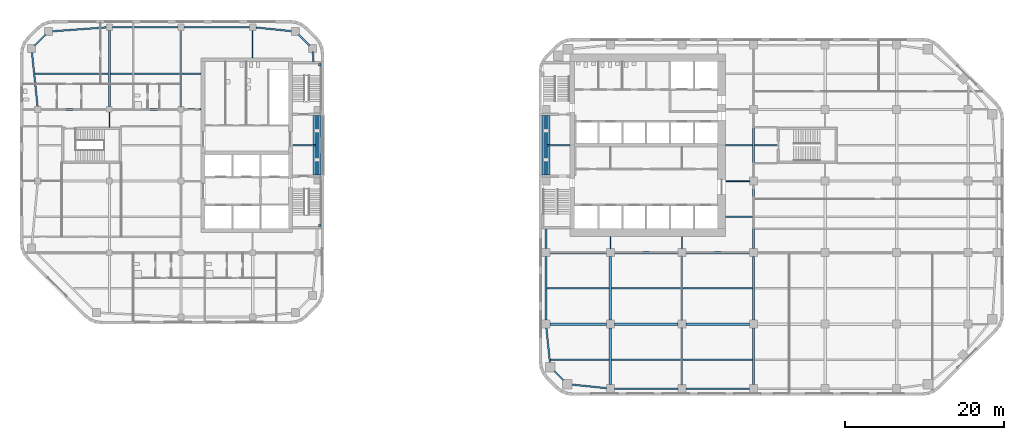
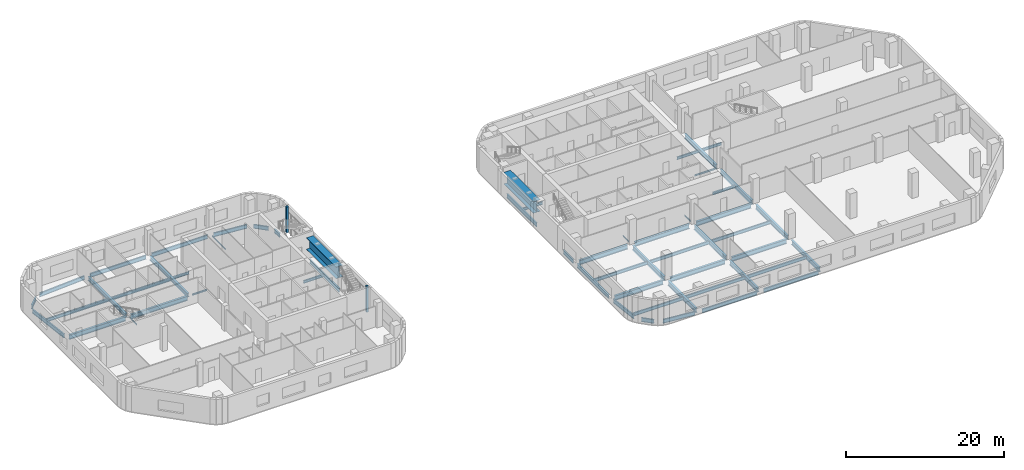
# One storey, part 2 of 15: 57 beams, 2 members.
"""IFC4 building model written with IfcOpenShell, lengths in metres."""

import ifcopenshell
import ifcopenshell.guid

model = None  # the IFC model being written
_history = None  # IfcOwnerHistory: only IFC2X3 demands one
_inside = {}  # id of a spatial element -> (the spatial element, [elements in it])
_under = {}  # id of a project, library or spatial element -> (it, [spatial elements below it])
_declared = {}  # id of a project -> (the project, [libraries it declares])
_typed = {}  # id of a type object -> (the type object, [elements of that type])
_made_of = {}  # id of a material, layer set ... -> (it, [elements and type objects made of it])


def new_model(schema):
    """Start an empty IFC model of exactly this schema.

    Asked for "IFC4X3", IfcOpenShell would pick the latest addendum, in which some entities
    have other attributes; the version numbers below select the first issue.
    IFC2X3 requires an IfcOwnerHistory on every rooted entity: one is made here for all.
    """
    global model, _history
    if schema == "IFC4X3":
        model = ifcopenshell.file(schema_version=(4, 3, 0, 0))
    else:
        model = ifcopenshell.file(schema=schema)
    _inside.clear()
    _under.clear()
    _declared.clear()
    _typed.clear()
    _made_of.clear()
    _history = None
    if model.schema == "IFC2X3":
        org = make("IfcOrganization", Name="unknown")
        user = make(
            "IfcPersonAndOrganization",
            ThePerson=make("IfcPerson", FamilyName="unknown"),
            TheOrganization=org,
        )
        app = make(
            "IfcApplication",
            ApplicationDeveloper=org,
            Version="unknown",
            ApplicationFullName="unknown",
            ApplicationIdentifier="unknown",
        )
        _history = make(
            "IfcOwnerHistory",
            OwningUser=user,
            OwningApplication=app,
            ChangeAction="ADDED",
            CreationDate=0,
        )
    return model


def make(cls, **values):
    """One entity of the class cls with the attributes given. An attribute that is None is left unset."""
    return model.create_entity(
        cls, **{name: value for name, value in values.items() if value is not None}
    )


def rooted(cls, **values):
    """An entity with a GlobalId (a new one), such as an element, a storey or a relation."""
    return make(cls, GlobalId=ifcopenshell.guid.new(), OwnerHistory=_history, **values)


def si_unit(unit_type, name, prefix=None):
    """IfcSIUnit, for example si_unit("LENGTHUNIT", "METRE", prefix="MILLI")."""
    return make("IfcSIUnit", UnitType=unit_type, Prefix=prefix, Name=name)


def assignment(units):
    """IfcUnitAssignment: the units of a project."""
    return None if units is None else make("IfcUnitAssignment", Units=units)


def point(xyz):
    """IfcCartesianPoint."""
    return None if xyz is None else make("IfcCartesianPoint", Coordinates=xyz)


def direction(xyz):
    """IfcDirection."""
    return None if xyz is None else make("IfcDirection", DirectionRatios=xyz)


def frame(location, z_axis=None, x_axis=None):
    """IfcAxis2Placement3D, a coordinate frame: its origin and axes. An axis left out is left unset."""
    return make(
        "IfcAxis2Placement3D",
        Location=point(location),
        Axis=direction(z_axis),
        RefDirection=direction(x_axis),
    )


def frame_2d(location, x_axis=None):
    """IfcAxis2Placement2D, a coordinate frame in the plane: its origin and x axis."""
    return make(
        "IfcAxis2Placement2D", Location=point(location), RefDirection=direction(x_axis)
    )


def origin():
    """The frame at (0, 0, 0) with its axes left unset."""
    return frame((0.0, 0.0, 0.0))


def origin_2d():
    """The frame at (0, 0) in the plane with its x axis left unset."""
    return frame_2d((0.0, 0.0))


def place(relative_to, where):
    """IfcLocalPlacement: puts the frame where relative to a parent placement (None: the world)."""
    return make(
        "IfcLocalPlacement", PlacementRelTo=relative_to, RelativePlacement=where
    )


def context(
    kind, dimensions, precision=None, world=None, true_north=None, identifier=None
):
    """IfcGeometricRepresentationContext, for example the 3D "Model" context."""
    return make(
        "IfcGeometricRepresentationContext",
        ContextIdentifier=identifier,
        ContextType=kind,
        CoordinateSpaceDimension=dimensions,
        Precision=precision,
        WorldCoordinateSystem=world,
        TrueNorth=true_north,
    )


def subcontext(parent, identifier, kind, view, scale=None):
    """IfcGeometricRepresentationSubContext, for example "Body" below "Model"."""
    return make(
        "IfcGeometricRepresentationSubContext",
        ContextIdentifier=identifier,
        ContextType=kind,
        ParentContext=parent,
        TargetScale=scale,
        TargetView=view,
    )


def project(units=None, contexts=None):
    """IfcProject with its units and contexts."""
    return rooted(
        "IfcProject",
        Name="project",
        RepresentationContexts=contexts,
        UnitsInContext=assignment(units),
    )


def spatial(cls, under=None, at=None, **own):
    """A site, building, storey or space (cls), placed at a placement, below another one or the project."""
    s = rooted(cls, ObjectPlacement=at, **own)
    if under is not None:
        _under.setdefault(under.id(), (under, []))[1].append(s)
    return s


def profile(cls, at=None, kind="AREA", **sizes):
    """A parametric profile (cls). Its sizes go by their IFC names, for example OverallWidth=200.0."""
    return make(cls, ProfileType=kind, Position=at, **sizes)


def rectangle(**sizes):
    """IfcRectangleProfileDef."""
    return profile("IfcRectangleProfileDef", **sizes)


def i_section(**sizes):
    """IfcIShapeProfileDef."""
    return profile("IfcIShapeProfileDef", **sizes)


def extrude(swept, where, along, depth):
    """IfcExtrudedAreaSolid: the profile swept, set in the frame where, extruded along a direction by depth."""
    return make(
        "IfcExtrudedAreaSolid",
        SweptArea=swept,
        Position=where,
        ExtrudedDirection=direction(along),
        Depth=depth,
    )


def shape(context_of_items, identifier, shape_type, items):
    """IfcShapeRepresentation: the items that make up one representation, for example the "Body"."""
    return make(
        "IfcShapeRepresentation",
        ContextOfItems=context_of_items,
        RepresentationIdentifier=identifier,
        RepresentationType=shape_type,
        Items=items,
    )


def material(Name=None, Category=None):
    """IfcMaterial."""
    return make("IfcMaterial", Name=Name, Category=Category)


def material_profile(
    of_material, cross_section, Name=None, Category=None, Priority=None
):
    """IfcMaterialProfile: a cross section and its material."""
    return make(
        "IfcMaterialProfile",
        Name=Name,
        Material=of_material,
        Profile=cross_section,
        Priority=Priority,
        Category=Category,
    )


def profile_set(profiles, Name=None, composite=None):
    """IfcMaterialProfileSet."""
    return make(
        "IfcMaterialProfileSet",
        Name=Name,
        MaterialProfiles=profiles,
        CompositeProfile=composite,
    )


def made_of(thing, what):
    """Note that an element or type object is made of a material, layer set ...; save() writes the relation."""
    if what is not None:
        _made_of.setdefault(what.id(), (what, []))[1].append(thing)
    return thing


def type_object(cls, material=None, **own):
    """A type object (cls), such as IfcWallType, which elements share."""
    return made_of(rooted(cls, **own), material)


def element(
    cls,
    number,
    at=None,
    inside=None,
    cuts=None,
    type_object=None,
    material=None,
    context=None,
    identifier="Body",
    shape_type=None,
    held_by="IfcProductDefinitionShape",
    body=None,
    shapes=None,
    **own,
):
    """One element of the class cls, such as IfcWall. Its Tag is "e" and its number.

    at: its placement. inside: the storey or other place that contains it. cuts: it is an
    opening in that element (IfcRelVoidsElement). A single representation is given by context,
    identifier, shape_type and body (its items); several are given by shapes. held_by: the class
    of the entity that holds the representations. save() writes the other relations.
    """
    e = rooted(cls, Tag="e%d" % number, ObjectPlacement=at, **own)
    if body is not None:
        shapes = [shape(context, identifier, shape_type, body)]
    if shapes is not None:
        e.Representation = make(held_by, Representations=shapes)
    if inside is not None:
        _inside.setdefault(inside.id(), (inside, []))[1].append(e)
    if cuts is not None:
        rooted(
            "IfcRelVoidsElement", RelatingBuildingElement=cuts, RelatedOpeningElement=e
        )
    if type_object is not None:
        _typed.setdefault(type_object.id(), (type_object, []))[1].append(e)
    return made_of(e, material)


def aggregate(whole, parts):
    """IfcRelAggregates: a whole, such as a stair, and the parts it consists of."""
    return rooted("IfcRelAggregates", RelatingObject=whole, RelatedObjects=parts)


def save(model, path):
    """Write the relations noted so far, then the file.

    IfcRelAggregates (storeys below a building ...), IfcRelContainedInSpatialStructure (elements
    in a storey), IfcRelDefinesByType, IfcRelAssociatesMaterial and IfcRelDeclares: one each for
    every whole, place, type object, material and project.
    """
    for whole, parts in _under.values():
        aggregate(whole, parts)
    for where, things in _inside.values():
        rooted(
            "IfcRelContainedInSpatialStructure",
            RelatedElements=things,
            RelatingStructure=where,
        )
    for kind, things in _typed.values():
        rooted("IfcRelDefinesByType", RelatedObjects=things, RelatingType=kind)
    for what, things in _made_of.values():
        rooted("IfcRelAssociatesMaterial", RelatedObjects=things, RelatingMaterial=what)
    for by, libraries in _declared.values():
        rooted("IfcRelDeclares", RelatingContext=by, RelatedDefinitions=libraries)
    model.write(path)


model = new_model("IFC4")

# Units and contexts
model_context = context("Model", 3, precision=1e-05, world=origin(), true_north=direction((0.0, 1.0)))
body_context = subcontext(model_context, "Body", "Model", "MODEL_VIEW")
ifc_project = project(units=[si_unit("LENGTHUNIT", "METRE"), si_unit("AREAUNIT", "SQUARE_METRE"), si_unit("VOLUMEUNIT", "CUBIC_METRE"), si_unit("PLANEANGLEUNIT", "RADIAN"), si_unit("MASSUNIT", "GRAM", prefix="KILO")], contexts=[model_context])

# Site, building, storey
site_placement = place(None, origin())
site = spatial("IfcSite", under=ifc_project, at=site_placement, CompositionType="ELEMENT")
building_placement = place(site_placement, origin())
building = spatial("IfcBuilding", under=site, at=building_placement, Name="Cinnabar Reach Civic Tower", CompositionType="ELEMENT")
storey_placement = place(building_placement, frame((0.0, 0.0, 67.0)))
storey = spatial("IfcBuildingStorey", under=building, at=storey_placement, Name="L15", CompositionType="ELEMENT", Elevation=67.0)

# Beams
ifc_material_1 = material(Name="Steel Q355B", Category="steel")
ifc_material_profile_1 = material_profile(ifc_material_1, i_section(OverallWidth=0.302, OverallDepth=0.594, WebThickness=0.014, FlangeThickness=0.023, FilletRadius=0.016, at=origin_2d()), Name="HM594x302x14x23")
ifc_profile_set_1 = profile_set([ifc_material_profile_1], Name="Steel Q355B")
beam_type_1 = type_object("IfcBeamType", Name="HM594x302x14x23 beam R 120", PredefinedType="BEAM", material=ifc_profile_set_1)
for number, where, z_axis, x_axis, name in (
    (1, (-54.0, 36.352, -0.447), (0.0, 1.0, 0.0), (-1.0, 0.0, 0.0), "Girder T2 L15 5"),
    (2, (-45.0, 36.352, -0.447), (0.0, 1.0, 0.0), (-1.0, 0.0, 0.0), "Girder T2 L15 9"),
):
    element("IfcBeam", number, at=place(storey_placement, frame(where, z_axis=z_axis, x_axis=x_axis)), inside=storey, type_object=beam_type_1, Name=name, PredefinedType="BEAM", context=body_context, shape_type="SweptSolid", body=[
        extrude(i_section(OverallWidth=0.302, OverallDepth=0.594, WebThickness=0.014, FlangeThickness=0.023, FilletRadius=0.016, at=origin_2d()), origin(), (0.0, 0.0, 1.0), 9.596),
    ])
ifc_material_profile_2 = material_profile(ifc_material_1, i_section(OverallWidth=0.099, OverallDepth=0.198, WebThickness=0.0045, FlangeThickness=0.007, FilletRadius=0.013, at=origin_2d()), Name="HN200x100x5.5x8")
ifc_profile_set_2 = profile_set([ifc_material_profile_2], Name="Steel Q355B")
beam_type_2 = type_object("IfcBeamType", Name="HN200x100x5.5x8 beam R 120", PredefinedType="BEAM", material=ifc_profile_set_2)
beam_1_placement = place(storey_placement, frame((-54.0, 33.752, -0.249), z_axis=(0.0, 1.0, 0.0), x_axis=(-1.0, 0.0, 0.0)))
element("IfcBeam", 3, at=beam_1_placement, inside=storey, type_object=beam_type_2, Name="Girder T2 L15 4", PredefinedType="BEAM", context=body_context, shape_type="SweptSolid", body=[
    extrude(i_section(OverallWidth=0.099, OverallDepth=0.198, WebThickness=0.0045, FlangeThickness=0.007, FilletRadius=0.013, at=origin_2d()), origin(), (0.0, 0.0, 1.0), 1.896),
])
beam_2_placement = place(storey_placement, frame((-36.0, 42.502, -0.249), z_axis=(0.0, 1.0, 0.0), x_axis=(-1.0, 0.0, 0.0)))
element("IfcBeam", 4, at=beam_2_placement, inside=storey, type_object=beam_type_2, Name="Girder T2 L15 12", PredefinedType="BEAM", context=body_context, shape_type="SweptSolid", body=[
    extrude(i_section(OverallWidth=0.099, OverallDepth=0.198, WebThickness=0.0045, FlangeThickness=0.007, FilletRadius=0.013, at=origin_2d()), origin(), (0.0, 0.0, 1.0), 3.446),
])
ifc_material_profile_3 = material_profile(ifc_material_1, i_section(OverallWidth=0.099, OverallDepth=0.198, WebThickness=0.0045, FlangeThickness=0.007, FilletRadius=0.013, at=origin_2d()), Name="HN200x100x5.5x8")
ifc_profile_set_3 = profile_set([ifc_material_profile_3], Name="Steel Q355B")
beam_type_3 = type_object("IfcBeamType", Name="HN200x100x5.5x8 beam R 180", PredefinedType="BEAM", material=ifc_profile_set_3)
for number, where, z_axis, x_axis, name in (
    (5, (9.0, 18.502, -0.249), (0.0, 1.0, 0.0), (-1.0, 0.0, 0.0), "Girder T1 L15 3"),
    (6, (18.0, 18.502, -0.249), (0.0, 1.0, 0.0), (-1.0, 0.0, 0.0), "Girder T1 L15 6"),
):
    element("IfcBeam", number, at=place(storey_placement, frame(where, z_axis=z_axis, x_axis=x_axis)), inside=storey, type_object=beam_type_3, Name=name, PredefinedType="BEAM", context=body_context, shape_type="SweptSolid", body=[
        extrude(i_section(OverallWidth=0.099, OverallDepth=0.198, WebThickness=0.0045, FlangeThickness=0.007, FilletRadius=0.013, at=origin_2d()), origin(), (0.0, 0.0, 1.0), 1.496),
    ])
ifc_material_profile_4 = material_profile(ifc_material_1, i_section(OverallWidth=0.124, OverallDepth=0.248, WebThickness=0.005, FlangeThickness=0.008, FilletRadius=0.013, at=origin_2d()), Name="HN250x125x6x9")
ifc_profile_set_4 = profile_set([ifc_material_profile_4], Name="Steel Q355B")
beam_type_4 = type_object("IfcBeamType", Name="HN250x125x6x9 beam R 120", PredefinedType="BEAM", material=ifc_profile_set_4)
beam_3_placement = place(storey_placement, frame((-44.648, 36.0, -0.274), z_axis=(1.0, 0.0, 0.0), x_axis=(0.0, 1.0, 0.0)))
element("IfcBeam", 7, at=beam_3_placement, inside=storey, type_object=beam_type_4, Name="Girder T2 L15 10", PredefinedType="BEAM", context=body_context, shape_type="SweptSolid", body=[
    extrude(i_section(OverallWidth=0.124, OverallDepth=0.248, WebThickness=0.005, FlangeThickness=0.008, FilletRadius=0.013, at=origin_2d()), origin(), (0.0, 0.0, 1.0), 2.146),
])
ifc_material_profile_5 = material_profile(ifc_material_1, i_section(OverallWidth=0.124, OverallDepth=0.248, WebThickness=0.005, FlangeThickness=0.008, FilletRadius=0.013, at=origin_2d()), Name="HN250x125x6x9")
ifc_profile_set_5 = profile_set([ifc_material_profile_5], Name="Steel Q355B")
beam_type_5 = type_object("IfcBeamType", Name="HN250x125x6x9 beam R 180", PredefinedType="BEAM", material=ifc_profile_set_5)
beam_4_placement = place(storey_placement, frame((23.502, 27.0, -0.274), z_axis=(1.0, 0.0, 0.0), x_axis=(0.0, 1.0, 0.0)))
element("IfcBeam", 8, at=beam_4_placement, inside=storey, type_object=beam_type_5, Name="Girder T1 L15 15", PredefinedType="BEAM", context=body_context, shape_type="SweptSolid", body=[
    extrude(i_section(OverallWidth=0.124, OverallDepth=0.248, WebThickness=0.005, FlangeThickness=0.008, FilletRadius=0.013, at=origin_2d()), origin(), (0.0, 0.0, 1.0), 2.996),
])
ifc_material_profile_6 = material_profile(ifc_material_1, i_section(OverallWidth=0.199, OverallDepth=0.396, WebThickness=0.007, FlangeThickness=0.011, FilletRadius=0.013, at=origin_2d()), Name="HN396x199x7x11")
ifc_profile_set_6 = profile_set([ifc_material_profile_6], Name="Steel Q355B")
beam_type_6 = type_object("IfcBeamType", Name="HN396x199x7x11 beam R 120", PredefinedType="BEAM", material=ifc_profile_set_6)
beam_5_placement = place(storey_placement, frame((-30.998, 31.5, -0.348), z_axis=(1.0, 0.0, 0.0), x_axis=(0.0, 1.0, 0.0)))
element("IfcBeam", 9, at=beam_5_placement, inside=storey, type_object=beam_type_6, Name="Secondary beam T2 L15 11", PredefinedType="BEAM", context=body_context, shape_type="SweptSolid", body=[
    extrude(i_section(OverallWidth=0.199, OverallDepth=0.396, WebThickness=0.007, FlangeThickness=0.011, FilletRadius=0.013, at=origin_2d()), origin(), (0.0, 0.0, 1.0), 2.996),
])
beam_6_placement = place(storey_placement, frame((-44.847, 40.5, -0.348), z_axis=(1.0, 0.0, 0.0), x_axis=(0.0, 1.0, 0.0)))
element("IfcBeam", 10, at=beam_6_placement, inside=storey, type_object=beam_type_6, Name="Secondary beam T2 L15 14", PredefinedType="BEAM", context=body_context, shape_type="SweptSolid", body=[
    extrude(i_section(OverallWidth=0.199, OverallDepth=0.396, WebThickness=0.007, FlangeThickness=0.011, FilletRadius=0.013, at=origin_2d()), origin(), (0.0, 0.0, 1.0), 2.345),
])
ifc_material_profile_7 = material_profile(ifc_material_1, i_section(OverallWidth=0.2, OverallDepth=0.4, WebThickness=0.008, FlangeThickness=0.013, FilletRadius=0.016, at=origin_2d()), Name="HN400x200x8x13")
ifc_profile_set_7 = profile_set([ifc_material_profile_7], Name="Steel Q355B")
beam_type_7 = type_object("IfcBeamType", Name="HN400x200x8x13 beam R 180", PredefinedType="BEAM", material=ifc_profile_set_7)
beam_7_placement = place(storey_placement, frame((23.502, 22.5, -0.35), z_axis=(1.0, 0.0, 0.0), x_axis=(0.0, 1.0, 0.0)))
element("IfcBeam", 11, at=beam_7_placement, inside=storey, type_object=beam_type_7, Name="Secondary beam T1 L15 14", PredefinedType="BEAM", context=body_context, shape_type="SweptSolid", body=[
    extrude(i_section(OverallWidth=0.2, OverallDepth=0.4, WebThickness=0.008, FlangeThickness=0.013, FilletRadius=0.016, at=origin_2d()), origin(), (0.0, 0.0, 1.0), 3.346),
])
beam_8_placement = place(storey_placement, frame((1.002, 31.5, -0.35), z_axis=(1.0, 0.0, 0.0), x_axis=(0.0, 1.0, 0.0)))
element("IfcBeam", 12, at=beam_8_placement, inside=storey, type_object=beam_type_7, Name="Secondary beam T1 L15 19", PredefinedType="BEAM", context=body_context, shape_type="SweptSolid", body=[
    extrude(i_section(OverallWidth=0.2, OverallDepth=0.4, WebThickness=0.008, FlangeThickness=0.013, FilletRadius=0.016, at=origin_2d()), origin(), (0.0, 0.0, 1.0), 2.896),
])
beam_9_placement = place(storey_placement, frame((23.502, 31.5, -0.35), z_axis=(1.0, 0.0, 0.0), x_axis=(0.0, 1.0, 0.0)))
element("IfcBeam", 13, at=beam_9_placement, inside=storey, type_object=beam_type_7, Name="Secondary beam T1 L15 20", PredefinedType="BEAM", context=body_context, shape_type="SweptSolid", body=[
    extrude(i_section(OverallWidth=0.2, OverallDepth=0.4, WebThickness=0.008, FlangeThickness=0.013, FilletRadius=0.016, at=origin_2d()), origin(), (0.0, 0.0, 1.0), 3.346),
])
beam_10_placement = place(storey_placement, frame((27.152, 31.5, -0.35), z_axis=(1.0, 0.0, 0.0), x_axis=(0.0, 1.0, 0.0)))
element("IfcBeam", 14, at=beam_10_placement, inside=storey, type_object=beam_type_7, Name="Secondary beam T1 L15 21", PredefinedType="BEAM", context=body_context, shape_type="SweptSolid", body=[
    extrude(i_section(OverallWidth=0.2, OverallDepth=0.4, WebThickness=0.008, FlangeThickness=0.013, FilletRadius=0.016, at=origin_2d()), origin(), (0.0, 0.0, 1.0), 2.846),
])
ifc_material_profile_8 = material_profile(ifc_material_1, i_section(OverallWidth=0.199, OverallDepth=0.496, WebThickness=0.009, FlangeThickness=0.014, FilletRadius=0.016, at=origin_2d()), Name="HN496x199x9x14")
ifc_profile_set_8 = profile_set([ifc_material_profile_8], Name="Steel Q355B")
beam_type_8 = type_object("IfcBeamType", Name="HN496x199x9x14 beam R 120", PredefinedType="BEAM", material=ifc_profile_set_8)
beam_11_placement = place(storey_placement, frame((-63.3663, 40.5, -0.398), z_axis=(1.0, 0.0, 0.0), x_axis=(0.0, 1.0, 0.0)))
element("IfcBeam", 15, at=beam_11_placement, inside=storey, type_object=beam_type_8, Name="Secondary beam T2 L15 12", PredefinedType="BEAM", context=body_context, shape_type="SweptSolid", body=[
    extrude(i_section(OverallWidth=0.199, OverallDepth=0.496, WebThickness=0.009, FlangeThickness=0.014, FilletRadius=0.016, at=origin_2d()), origin(), (0.0, 0.0, 1.0), 9.2133),
])
beam_12_placement = place(storey_placement, frame((-53.847, 40.5, -0.398), z_axis=(1.0, 0.0, 0.0), x_axis=(0.0, 1.0, 0.0)))
element("IfcBeam", 16, at=beam_12_placement, inside=storey, type_object=beam_type_8, Name="Secondary beam T2 L15 13", PredefinedType="BEAM", context=body_context, shape_type="SweptSolid", body=[
    extrude(i_section(OverallWidth=0.199, OverallDepth=0.496, WebThickness=0.009, FlangeThickness=0.014, FilletRadius=0.016, at=origin_2d()), origin(), (0.0, 0.0, 1.0), 8.694),
])
ifc_material_profile_9 = material_profile(ifc_material_1, i_section(OverallWidth=0.2, OverallDepth=0.5, WebThickness=0.01, FlangeThickness=0.016, FilletRadius=0.016, at=origin_2d()), Name="HN500x200x10x16")
ifc_profile_set_9 = profile_set([ifc_material_profile_9], Name="Steel Q355B")
beam_type_9 = type_object("IfcBeamType", Name="HN500x200x10x16 beam R 180", PredefinedType="BEAM", material=ifc_profile_set_9)
beam_13_placement = place(storey_placement, frame((1.4636, 4.5, -0.4), z_axis=(1.0, 0.0, 0.0), x_axis=(0.0, 1.0, 0.0)))
element("IfcBeam", 17, at=beam_13_placement, inside=storey, type_object=beam_type_9, Name="Secondary beam T1 L15 1", PredefinedType="BEAM", context=body_context, shape_type="SweptSolid", body=[
    extrude(i_section(OverallWidth=0.2, OverallDepth=0.5, WebThickness=0.01, FlangeThickness=0.016, FilletRadius=0.016, at=origin_2d()), origin(), (0.0, 0.0, 1.0), 7.3844),
])
for number, where, z_axis, x_axis, name in (
    (18, (9.152, 4.5, -0.4), (1.0, 0.0, 0.0), (0.0, 1.0, 0.0), "Secondary beam T1 L15 2"),
    (19, (18.152, 4.5, -0.4), (1.0, 0.0, 0.0), (0.0, 1.0, 0.0), "Secondary beam T1 L15 3"),
):
    element("IfcBeam", number, at=place(storey_placement, frame(where, z_axis=z_axis, x_axis=x_axis)), inside=storey, type_object=beam_type_9, Name=name, PredefinedType="BEAM", context=body_context, shape_type="SweptSolid", body=[
        extrude(i_section(OverallWidth=0.2, OverallDepth=0.5, WebThickness=0.01, FlangeThickness=0.016, FilletRadius=0.016, at=origin_2d()), origin(), (0.0, 0.0, 1.0), 8.696),
    ])
beam_14_placement = place(storey_placement, frame((1.002, 13.5, -0.4), z_axis=(1.0, 0.0, 0.0), x_axis=(0.0, 1.0, 0.0)))
element("IfcBeam", 20, at=beam_14_placement, inside=storey, type_object=beam_type_9, Name="Secondary beam T1 L15 7", PredefinedType="BEAM", context=body_context, shape_type="SweptSolid", body=[
    extrude(i_section(OverallWidth=0.2, OverallDepth=0.5, WebThickness=0.01, FlangeThickness=0.016, FilletRadius=0.016, at=origin_2d()), origin(), (0.0, 0.0, 1.0), 7.846),
])
for number, where, z_axis, x_axis, name in (
    (21, (9.152, 13.5, -0.4), (1.0, 0.0, 0.0), (0.0, 1.0, 0.0), "Secondary beam T1 L15 8"),
    (22, (18.152, 13.5, -0.4), (1.0, 0.0, 0.0), (0.0, 1.0, 0.0), "Secondary beam T1 L15 9"),
):
    element("IfcBeam", number, at=place(storey_placement, frame(where, z_axis=z_axis, x_axis=x_axis)), inside=storey, type_object=beam_type_9, Name=name, PredefinedType="BEAM", context=body_context, shape_type="SweptSolid", body=[
        extrude(i_section(OverallWidth=0.2, OverallDepth=0.5, WebThickness=0.01, FlangeThickness=0.016, FilletRadius=0.016, at=origin_2d()), origin(), (0.0, 0.0, 1.0), 8.696),
    ])
ifc_material_profile_10 = material_profile(ifc_material_1, i_section(OverallWidth=0.2, OverallDepth=0.6, WebThickness=0.011, FlangeThickness=0.017, FilletRadius=0.016, at=origin_2d()), Name="HN600x200x11x17")
ifc_profile_set_10 = profile_set([ifc_material_profile_10], Name="Steel Q355B")
beam_type_10 = type_object("IfcBeamType", Name="HN600x200x11x17 beam R 120", PredefinedType="BEAM", material=ifc_profile_set_10)
beam_15_placement = place(storey_placement, frame((-27.9, 27.752, -0.45), z_axis=(0.0, 1.0, 0.0), x_axis=(-1.0, 0.0, 0.0)))
element("IfcBeam", 23, at=beam_15_placement, inside=storey, type_object=beam_type_10, Name="Edge beam T2 L15 7", PredefinedType="BEAM", context=body_context, shape_type="SweptSolid", body=[
    extrude(i_section(OverallWidth=0.2, OverallDepth=0.6, WebThickness=0.011, FlangeThickness=0.017, FilletRadius=0.016, at=origin_2d()), origin(), (0.0, 0.0, 1.0), 7.496),
])
beam_16_placement = place(storey_placement, frame((-28.3341, 42.002, -0.45), z_axis=(-0.072116143061, 0.997396241175, 0.0), x_axis=(-0.997396241175, -0.072116143061, 0.0)))
element("IfcBeam", 24, at=beam_16_placement, inside=storey, type_object=beam_type_10, Name="Edge beam T2 L15 8", PredefinedType="BEAM", context=body_context, shape_type="SweptSolid", body=[
    extrude(i_section(OverallWidth=0.2, OverallDepth=0.6, WebThickness=0.011, FlangeThickness=0.017, FilletRadius=0.016, at=origin_2d()), origin(), (0.0, 0.0, 1.0), 1.2674),
])
beam_17_placement = place(storey_placement, frame((-28.8351, 44.0301, -0.45), z_axis=(-0.707106781187, 0.707106781187, 0.0), x_axis=(-0.707106781187, -0.707106781187, 0.0)))
element("IfcBeam", 25, at=beam_17_placement, inside=storey, type_object=beam_type_10, Name="Edge beam T2 L15 9", PredefinedType="BEAM", context=body_context, shape_type="SweptSolid", body=[
    extrude(i_section(OverallWidth=0.2, OverallDepth=0.6, WebThickness=0.011, FlangeThickness=0.017, FilletRadius=0.016, at=origin_2d()), origin(), (0.0, 0.0, 1.0), 1.9584),
])
beam_18_placement = place(storey_placement, frame((-30.9839, 45.836, -0.45), z_axis=(-0.994791084875, 0.101934770579, 0.0), x_axis=(-0.101934770579, -0.994791084875, 0.0)))
element("IfcBeam", 26, at=beam_18_placement, inside=storey, type_object=beam_type_10, Name="Edge beam T2 L15 10", PredefinedType="BEAM", context=body_context, shape_type="SweptSolid", body=[
    extrude(i_section(OverallWidth=0.2, OverallDepth=0.6, WebThickness=0.011, FlangeThickness=0.017, FilletRadius=0.016, at=origin_2d()), origin(), (0.0, 0.0, 1.0), 4.6383),
])
for number, where, z_axis, x_axis, name in (
    (27, (-36.402, 46.35, -0.45), (-1.0, 0.0, 0.0), (0.0, -1.0, 0.0), "Edge beam T2 L15 11"),
    (28, (-45.402, 46.35, -0.45), (-1.0, 0.0, 0.0), (0.0, -1.0, 0.0), "Edge beam T2 L15 12"),
):
    element("IfcBeam", number, at=place(storey_placement, frame(where, z_axis=z_axis, x_axis=x_axis)), inside=storey, type_object=beam_type_10, Name=name, PredefinedType="BEAM", context=body_context, shape_type="SweptSolid", body=[
        extrude(i_section(OverallWidth=0.2, OverallDepth=0.6, WebThickness=0.011, FlangeThickness=0.017, FilletRadius=0.016, at=origin_2d()), origin(), (0.0, 0.0, 1.0), 8.196),
    ])
beam_19_placement = place(storey_placement, frame((-54.402, 46.3209, -0.45), z_axis=(-0.997395244781, -0.072129922278, 0.0), x_axis=(0.072129922278, -0.997395244781, 0.0)))
element("IfcBeam", 29, at=beam_19_placement, inside=storey, type_object=beam_type_10, Name="Edge beam T2 L15 13", PredefinedType="BEAM", context=body_context, shape_type="SweptSolid", body=[
    extrude(i_section(OverallWidth=0.2, OverallDepth=0.6, WebThickness=0.011, FlangeThickness=0.017, FilletRadius=0.016, at=origin_2d()), origin(), (0.0, 0.0, 1.0), 6.882),
])
beam_20_placement = place(storey_placement, frame((-62.0301, 45.4149, -0.45), z_axis=(-0.707106781187, -0.707106781187, 0.0), x_axis=(0.707106781187, -0.707106781187, 0.0)))
element("IfcBeam", 30, at=beam_20_placement, inside=storey, type_object=beam_type_10, Name="Edge beam T2 L15 14", PredefinedType="BEAM", context=body_context, shape_type="SweptSolid", body=[
    extrude(i_section(OverallWidth=0.2, OverallDepth=0.6, WebThickness=0.011, FlangeThickness=0.017, FilletRadius=0.016, at=origin_2d()), origin(), (0.0, 0.0, 1.0), 1.9584),
])
beam_21_placement = place(storey_placement, frame((-63.7571, 43.2661, -0.45), z_axis=(0.103633260175, -0.994615577691, 0.0), x_axis=(0.994615577691, 0.103633260175, 0.0)))
element("IfcBeam", 31, at=beam_21_placement, inside=storey, type_object=beam_type_10, Name="Edge beam T2 L15 15", PredefinedType="BEAM", context=body_context, shape_type="SweptSolid", body=[
    extrude(i_section(OverallWidth=0.2, OverallDepth=0.6, WebThickness=0.011, FlangeThickness=0.017, FilletRadius=0.016, at=origin_2d()), origin(), (0.0, 0.0, 1.0), 6.9013),
])
ifc_material_profile_11 = material_profile(ifc_material_1, i_section(OverallWidth=0.2, OverallDepth=0.6, WebThickness=0.011, FlangeThickness=0.017, FilletRadius=0.016, at=origin_2d()), Name="HN600x200x11x17")
ifc_profile_set_11 = profile_set([ifc_material_profile_11], Name="Steel Q355B")
beam_type_11 = type_object("IfcBeamType", Name="HN600x200x11x17 beam R 180", PredefinedType="BEAM", material=ifc_profile_set_11)
beam_22_placement = place(storey_placement, frame((4.0839, 1.4037, -0.45), z_axis=(0.994791228755, -0.101933366432, 0.0), x_axis=(0.101933366432, 0.994791228755, 0.0)))
element("IfcBeam", 32, at=beam_22_placement, inside=storey, type_object=beam_type_11, Name="Edge beam T1 L15 1", PredefinedType="BEAM", context=body_context, shape_type="SweptSolid", body=[
    extrude(i_section(OverallWidth=0.2, OverallDepth=0.6, WebThickness=0.011, FlangeThickness=0.017, FilletRadius=0.016, at=origin_2d()), origin(), (0.0, 0.0, 1.0), 4.4372),
])
for number, where, z_axis, x_axis, name in (
    (33, (9.502, 0.9, -0.45), (1.0, 0.0, 0.0), (0.0, 1.0, 0.0), "Edge beam T1 L15 2"),
    (34, (18.502, 0.9, -0.45), (1.0, 0.0, 0.0), (0.0, 1.0, 0.0), "Edge beam T1 L15 3"),
):
    element("IfcBeam", number, at=place(storey_placement, frame(where, z_axis=z_axis, x_axis=x_axis)), inside=storey, type_object=beam_type_11, Name=name, PredefinedType="BEAM", context=body_context, shape_type="SweptSolid", body=[
        extrude(i_section(OverallWidth=0.2, OverallDepth=0.6, WebThickness=0.011, FlangeThickness=0.017, FilletRadius=0.016, at=origin_2d()), origin(), (0.0, 0.0, 1.0), 7.996),
    ])
beam_23_placement = place(storey_placement, frame((0.9, 35.248, -0.45), z_axis=(0.0, -1.0, 0.0), x_axis=(1.0, 0.0, 0.0)))
element("IfcBeam", 35, at=beam_23_placement, inside=storey, type_object=beam_type_11, Name="Edge beam T1 L15 20", PredefinedType="BEAM", context=body_context, shape_type="SweptSolid", body=[
    extrude(i_section(OverallWidth=0.2, OverallDepth=0.6, WebThickness=0.011, FlangeThickness=0.017, FilletRadius=0.016, at=origin_2d()), origin(), (0.0, 0.0, 1.0), 7.496),
])
beam_24_placement = place(storey_placement, frame((0.9, 20.998, -0.45), z_axis=(0.0, -1.0, 0.0), x_axis=(1.0, 0.0, 0.0)))
element("IfcBeam", 36, at=beam_24_placement, inside=storey, type_object=beam_type_11, Name="Edge beam T1 L15 21", PredefinedType="BEAM", context=body_context, shape_type="SweptSolid", body=[
    extrude(i_section(OverallWidth=0.2, OverallDepth=0.6, WebThickness=0.011, FlangeThickness=0.017, FilletRadius=0.016, at=origin_2d()), origin(), (0.0, 0.0, 1.0), 2.496),
])
beam_25_placement = place(storey_placement, frame((0.9, 17.498, -0.45), z_axis=(0.0, -1.0, 0.0), x_axis=(1.0, 0.0, 0.0)))
element("IfcBeam", 37, at=beam_25_placement, inside=storey, type_object=beam_type_11, Name="Edge beam T1 L15 22", PredefinedType="BEAM", context=body_context, shape_type="SweptSolid", body=[
    extrude(i_section(OverallWidth=0.2, OverallDepth=0.6, WebThickness=0.011, FlangeThickness=0.017, FilletRadius=0.016, at=origin_2d()), origin(), (0.0, 0.0, 1.0), 7.996),
])
beam_26_placement = place(storey_placement, frame((0.9514, 8.498, -0.45), z_axis=(0.101933366432, -0.994791228755, 0.0), x_axis=(0.994791228755, 0.101933366432, 0.0)))
element("IfcBeam", 38, at=beam_26_placement, inside=storey, type_object=beam_type_11, Name="Edge beam T1 L15 23", PredefinedType="BEAM", context=body_context, shape_type="SweptSolid", body=[
    extrude(i_section(OverallWidth=0.2, OverallDepth=0.6, WebThickness=0.011, FlangeThickness=0.017, FilletRadius=0.016, at=origin_2d()), origin(), (0.0, 0.0, 1.0), 4.4372),
])
beam_27_placement = place(storey_placement, frame((1.9351, 3.1199, -0.45), z_axis=(0.707106781187, -0.707106781187, 0.0), x_axis=(0.707106781187, 0.707106781187, 0.0)))
element("IfcBeam", 39, at=beam_27_placement, inside=storey, type_object=beam_type_11, Name="Edge beam T1 L15 24", PredefinedType="BEAM", context=body_context, shape_type="SweptSolid", body=[
    extrude(i_section(OverallWidth=0.2, OverallDepth=0.6, WebThickness=0.011, FlangeThickness=0.017, FilletRadius=0.016, at=origin_2d()), origin(), (0.0, 0.0, 1.0), 1.6756),
])
ifc_material_profile_12 = material_profile(ifc_material_1, i_section(OverallWidth=0.3, OverallDepth=0.692, WebThickness=0.013, FlangeThickness=0.02, FilletRadius=0.016, at=origin_2d()), Name="HN692x300x13x20")
ifc_profile_set_12 = profile_set([ifc_material_profile_12], Name="Steel Q355B")
beam_type_12 = type_object("IfcBeamType", Name="HN692x300x13x20 beam R 120", PredefinedType="BEAM", material=ifc_profile_set_12)
beam_28_placement = place(storey_placement, frame((-62.598, 36.0, -0.496), z_axis=(1.0, 0.0, 0.0), x_axis=(0.0, 1.0, 0.0)))
element("IfcBeam", 40, at=beam_28_placement, inside=storey, type_object=beam_type_12, Name="Girder T2 L15 8", PredefinedType="BEAM", context=body_context, shape_type="SweptSolid", body=[
    extrude(i_section(OverallWidth=0.3, OverallDepth=0.692, WebThickness=0.013, FlangeThickness=0.02, FilletRadius=0.016, at=origin_2d()), origin(), (0.0, 0.0, 1.0), 8.246),
])
beam_29_placement = place(storey_placement, frame((-53.648, 36.0, -0.496), z_axis=(1.0, 0.0, 0.0), x_axis=(0.0, 1.0, 0.0)))
element("IfcBeam", 41, at=beam_29_placement, inside=storey, type_object=beam_type_12, Name="Girder T2 L15 9", PredefinedType="BEAM", context=body_context, shape_type="SweptSolid", body=[
    extrude(i_section(OverallWidth=0.3, OverallDepth=0.692, WebThickness=0.013, FlangeThickness=0.02, FilletRadius=0.016, at=origin_2d()), origin(), (0.0, 0.0, 1.0), 8.296),
])
ifc_material_profile_13 = material_profile(ifc_material_1, i_section(OverallWidth=0.3, OverallDepth=0.692, WebThickness=0.013, FlangeThickness=0.02, FilletRadius=0.016, at=origin_2d()), Name="HN692x300x13x20")
ifc_profile_set_13 = profile_set([ifc_material_profile_13], Name="Steel Q355B")
beam_type_13 = type_object("IfcBeamType", Name="HN692x300x13x20 beam R 180", PredefinedType="BEAM", material=ifc_profile_set_13)
beam_30_placement = place(storey_placement, frame((9.0, 1.402, -0.496), z_axis=(0.0, 1.0, 0.0), x_axis=(-1.0, 0.0, 0.0)))
element("IfcBeam", 42, at=beam_30_placement, inside=storey, type_object=beam_type_13, Name="Girder T1 L15 1", PredefinedType="BEAM", context=body_context, shape_type="SweptSolid", body=[
    extrude(i_section(OverallWidth=0.3, OverallDepth=0.692, WebThickness=0.013, FlangeThickness=0.02, FilletRadius=0.016, at=origin_2d()), origin(), (0.0, 0.0, 1.0), 7.096),
])
beam_31_placement = place(storey_placement, frame((9.0, 9.502, -0.496), z_axis=(0.0, 1.0, 0.0), x_axis=(-1.0, 0.0, 0.0)))
element("IfcBeam", 43, at=beam_31_placement, inside=storey, type_object=beam_type_13, Name="Girder T1 L15 2", PredefinedType="BEAM", context=body_context, shape_type="SweptSolid", body=[
    extrude(i_section(OverallWidth=0.3, OverallDepth=0.692, WebThickness=0.013, FlangeThickness=0.02, FilletRadius=0.016, at=origin_2d()), origin(), (0.0, 0.0, 1.0), 7.996),
])
beam_32_placement = place(storey_placement, frame((18.0, 1.402, -0.496), z_axis=(0.0, 1.0, 0.0), x_axis=(-1.0, 0.0, 0.0)))
element("IfcBeam", 44, at=beam_32_placement, inside=storey, type_object=beam_type_13, Name="Girder T1 L15 4", PredefinedType="BEAM", context=body_context, shape_type="SweptSolid", body=[
    extrude(i_section(OverallWidth=0.3, OverallDepth=0.692, WebThickness=0.013, FlangeThickness=0.02, FilletRadius=0.016, at=origin_2d()), origin(), (0.0, 0.0, 1.0), 7.096),
])
beam_33_placement = place(storey_placement, frame((18.0, 9.502, -0.496), z_axis=(0.0, 1.0, 0.0), x_axis=(-1.0, 0.0, 0.0)))
element("IfcBeam", 45, at=beam_33_placement, inside=storey, type_object=beam_type_13, Name="Girder T1 L15 5", PredefinedType="BEAM", context=body_context, shape_type="SweptSolid", body=[
    extrude(i_section(OverallWidth=0.3, OverallDepth=0.692, WebThickness=0.013, FlangeThickness=0.02, FilletRadius=0.016, at=origin_2d()), origin(), (0.0, 0.0, 1.0), 7.996),
])
beam_34_placement = place(storey_placement, frame((27.0, 1.402, -0.496), z_axis=(0.0, 1.0, 0.0), x_axis=(-1.0, 0.0, 0.0)))
element("IfcBeam", 46, at=beam_34_placement, inside=storey, type_object=beam_type_13, Name="Girder T1 L15 7", PredefinedType="BEAM", context=body_context, shape_type="SweptSolid", body=[
    extrude(i_section(OverallWidth=0.3, OverallDepth=0.692, WebThickness=0.013, FlangeThickness=0.02, FilletRadius=0.016, at=origin_2d()), origin(), (0.0, 0.0, 1.0), 7.096),
])
for number, where, z_axis, x_axis, name in (
    (47, (27.0, 9.502, -0.496), (0.0, 1.0, 0.0), (-1.0, 0.0, 0.0), "Girder T1 L15 8"),
    (48, (27.0, 18.502, -0.496), (0.0, 1.0, 0.0), (-1.0, 0.0, 0.0), "Girder T1 L15 9"),
    (49, (27.0, 27.502, -0.496), (0.0, 1.0, 0.0), (-1.0, 0.0, 0.0), "Girder T1 L15 10"),
):
    element("IfcBeam", number, at=place(storey_placement, frame(where, z_axis=z_axis, x_axis=x_axis)), inside=storey, type_object=beam_type_13, Name=name, PredefinedType="BEAM", context=body_context, shape_type="SweptSolid", body=[
        extrude(i_section(OverallWidth=0.3, OverallDepth=0.692, WebThickness=0.013, FlangeThickness=0.02, FilletRadius=0.016, at=origin_2d()), origin(), (0.0, 0.0, 1.0), 7.996),
    ])
ifc_material_profile_14 = material_profile(ifc_material_1, i_section(OverallWidth=0.3, OverallDepth=0.7, WebThickness=0.013, FlangeThickness=0.024, FilletRadius=0.02, at=origin_2d()), Name="HN700x300x13x24")
ifc_profile_set_14 = profile_set([ifc_material_profile_14], Name="Steel Q355B")
beam_type_14 = type_object("IfcBeamType", Name="HN700x300x13x24 beam R 180", PredefinedType="BEAM", material=ifc_profile_set_14)
beam_35_placement = place(storey_placement, frame((1.402, 9.0, -0.5), z_axis=(1.0, 0.0, 0.0), x_axis=(0.0, 1.0, 0.0)))
element("IfcBeam", 50, at=beam_35_placement, inside=storey, type_object=beam_type_14, Name="Girder T1 L15 1", PredefinedType="BEAM", context=body_context, shape_type="SweptSolid", body=[
    extrude(i_section(OverallWidth=0.3, OverallDepth=0.7, WebThickness=0.013, FlangeThickness=0.024, FilletRadius=0.02, at=origin_2d()), origin(), (0.0, 0.0, 1.0), 7.096),
])
for number, where, z_axis, x_axis, name in (
    (51, (9.502, 9.0, -0.5), (1.0, 0.0, 0.0), (0.0, 1.0, 0.0), "Girder T1 L15 2"),
    (52, (18.502, 9.0, -0.5), (1.0, 0.0, 0.0), (0.0, 1.0, 0.0), "Girder T1 L15 3"),
):
    element("IfcBeam", number, at=place(storey_placement, frame(where, z_axis=z_axis, x_axis=x_axis)), inside=storey, type_object=beam_type_14, Name=name, PredefinedType="BEAM", context=body_context, shape_type="SweptSolid", body=[
        extrude(i_section(OverallWidth=0.3, OverallDepth=0.7, WebThickness=0.013, FlangeThickness=0.024, FilletRadius=0.02, at=origin_2d()), origin(), (0.0, 0.0, 1.0), 7.996),
    ])
beam_36_placement = place(storey_placement, frame((1.402, 18.0, -0.5), z_axis=(1.0, 0.0, 0.0), x_axis=(0.0, 1.0, 0.0)))
element("IfcBeam", 53, at=beam_36_placement, inside=storey, type_object=beam_type_14, Name="Girder T1 L15 8", PredefinedType="BEAM", context=body_context, shape_type="SweptSolid", body=[
    extrude(i_section(OverallWidth=0.3, OverallDepth=0.7, WebThickness=0.013, FlangeThickness=0.024, FilletRadius=0.02, at=origin_2d()), origin(), (0.0, 0.0, 1.0), 7.096),
])
for number, where, z_axis, x_axis, name in (
    (54, (9.502, 18.0, -0.5), (1.0, 0.0, 0.0), (0.0, 1.0, 0.0), "Girder T1 L15 9"),
    (55, (18.502, 18.0, -0.5), (1.0, 0.0, 0.0), (0.0, 1.0, 0.0), "Girder T1 L15 10"),
):
    element("IfcBeam", number, at=place(storey_placement, frame(where, z_axis=z_axis, x_axis=x_axis)), inside=storey, type_object=beam_type_14, Name=name, PredefinedType="BEAM", context=body_context, shape_type="SweptSolid", body=[
        extrude(i_section(OverallWidth=0.3, OverallDepth=0.7, WebThickness=0.013, FlangeThickness=0.024, FilletRadius=0.02, at=origin_2d()), origin(), (0.0, 0.0, 1.0), 7.996),
    ])
ifc_material_profile_15 = material_profile(ifc_material_1, i_section(OverallWidth=1.0, OverallDepth=1.8, WebThickness=0.028, FlangeThickness=0.045, at=origin_2d()), Name="BH1800x1000x28x45")
ifc_profile_set_15 = profile_set([ifc_material_profile_15], Name="Steel Q355B")
beam_type_15 = type_object("IfcBeamType", Name="SEAT girder BH1800x1000x28x45 R 180", PredefinedType="BEAM", material=ifc_profile_set_15)
beam_37_placement = place(storey_placement, frame((-27.9, 27.752, 2.386), z_axis=(0.0, 1.0, 0.0), x_axis=(-1.0, 0.0, 0.0)))
element("IfcBeam", 56, at=beam_37_placement, inside=storey, type_object=beam_type_15, Name="Seat girder T2 L16 1", PredefinedType="BEAM", context=body_context, shape_type="SweptSolid", body=[
    extrude(i_section(OverallWidth=1.0, OverallDepth=1.8, WebThickness=0.028, FlangeThickness=0.045, at=origin_2d()), origin(), (0.0, 0.0, 1.0), 7.496),
])
ifc_material_profile_16 = material_profile(ifc_material_1, i_section(OverallWidth=1.0, OverallDepth=1.8, WebThickness=0.028, FlangeThickness=0.045, at=origin_2d()), Name="BH1800x1000x28x45")
ifc_profile_set_16 = profile_set([ifc_material_profile_16], Name="Steel Q355B")
beam_type_16 = type_object("IfcBeamType", Name="SEAT girder BH1800x1000x28x45 R 240", PredefinedType="BEAM", material=ifc_profile_set_16)
beam_38_placement = place(storey_placement, frame((0.9, 27.752, 2.386), z_axis=(0.0, 1.0, 0.0), x_axis=(-1.0, 0.0, 0.0)))
element("IfcBeam", 57, at=beam_38_placement, inside=storey, type_object=beam_type_16, Name="Seat girder T1 L16 1", PredefinedType="BEAM", context=body_context, shape_type="SweptSolid", body=[
    extrude(i_section(OverallWidth=1.0, OverallDepth=1.8, WebThickness=0.028, FlangeThickness=0.045, at=origin_2d()), origin(), (0.0, 0.0, 1.0), 7.496),
])

# Members
ifc_material_2 = material(Name="Concrete C40", Category="concrete")
ifc_material_profile_17 = material_profile(ifc_material_2, rectangle(XDim=0.3, YDim=0.3, at=origin_2d()), Name="C300")
ifc_profile_set_17 = profile_set([ifc_material_profile_17], Name="Concrete C40")
member_type = type_object("IfcMemberType", Name="T2 stair post 300", PredefinedType="STRUT", material=ifc_profile_set_17)
for number, where, z_axis, x_axis, name in (
    (58, (-27.55, 21.4, 0.0), (0.0, 0.0, 1.0), (1.0, 0.0, 0.0), "Stair post 1"),
    (59, (-27.55, 41.6, 0.0), (0.0, 0.0, 1.0), (1.0, 0.0, 0.0), "Stair post 2"),
):
    element("IfcMember", number, at=place(storey_placement, frame(where, z_axis=z_axis, x_axis=x_axis)), inside=storey, type_object=member_type, Name=name, PredefinedType="STRUT", context=body_context, shape_type="SweptSolid", body=[
        extrude(rectangle(XDim=0.3, YDim=0.3, at=origin_2d()), origin(), (0.0, 0.0, 1.0), 4.0),
    ])

save(model, "model.ifc")
